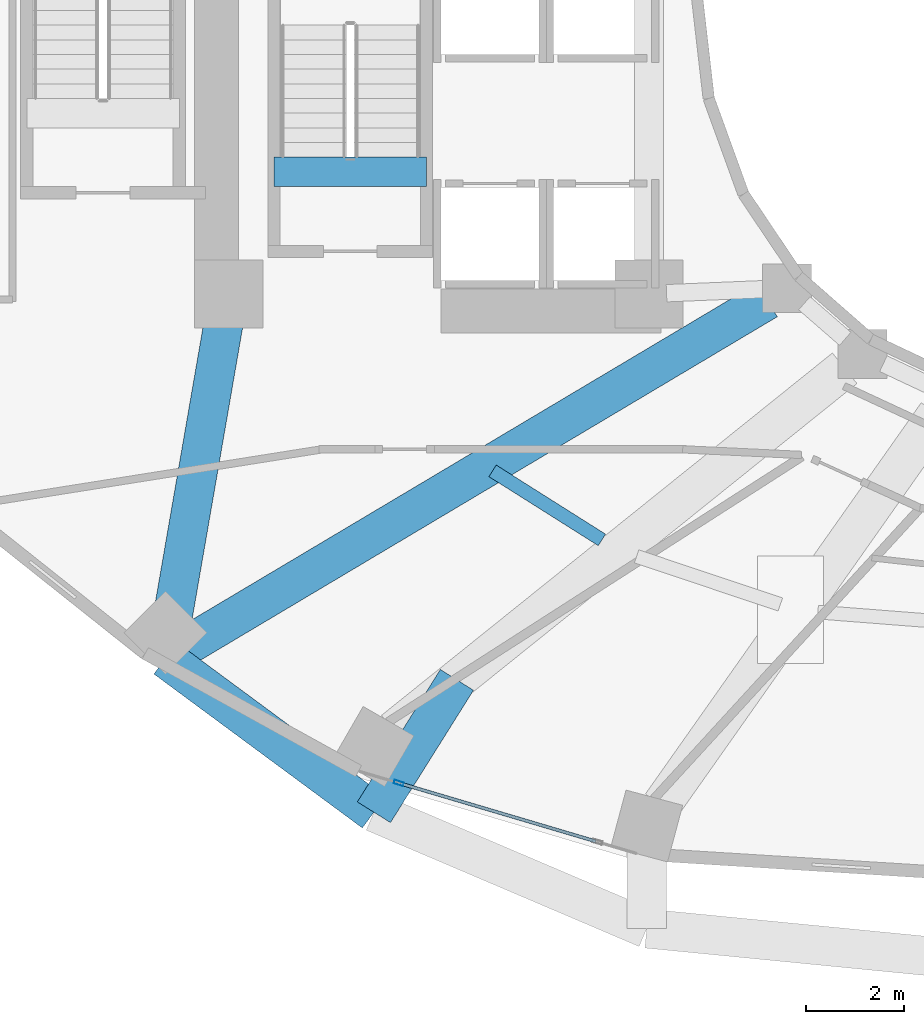
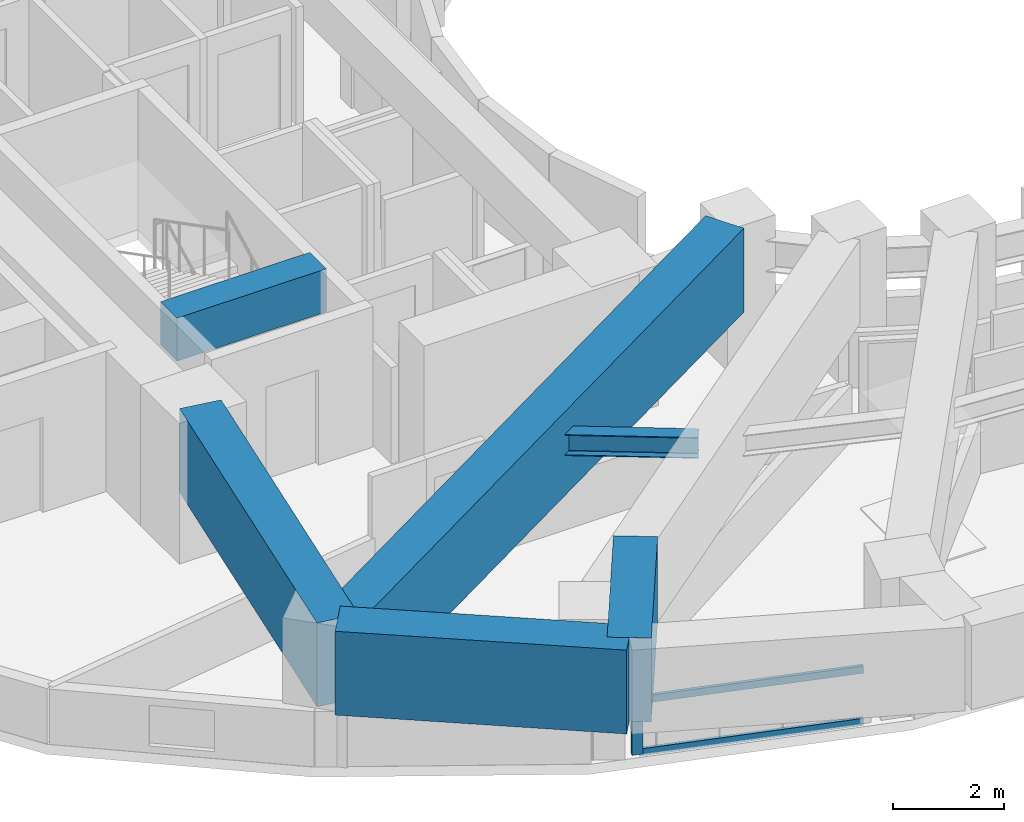
# One storey, part 2 of 17: 6 beams, 3 members, 1 element without a shape of its own.
"""IFC4 building model written with IfcOpenShell, lengths in metres."""

from ifc_helpers import new_model, si_unit, direction, frame, origin, origin_2d, place, context, subcontext, project, spatial, rectangle, hollow_rectangle, i_section, extrude, material, layer, layer_set, material_profile, profile_set, type_object, element, aggregate, save


model = new_model("IFC4")

# Units and contexts
model_context = context("Model", 3, precision=1e-05, world=origin(), true_north=direction((0.0, 1.0)))
body_context = subcontext(model_context, "Body", "Model", "MODEL_VIEW")
ifc_project = project(units=[si_unit("LENGTHUNIT", "METRE"), si_unit("AREAUNIT", "SQUARE_METRE"), si_unit("VOLUMEUNIT", "CUBIC_METRE"), si_unit("PLANEANGLEUNIT", "RADIAN"), si_unit("MASSUNIT", "GRAM", prefix="KILO")], contexts=[model_context])

# Site, building, storey
site_placement = place(None, origin())
site = spatial("IfcSite", under=ifc_project, at=site_placement, CompositionType="ELEMENT")
building_placement = place(site_placement, origin())
building = spatial("IfcBuilding", under=site, at=building_placement, Name="Solvane Sanctuary Tower", CompositionType="ELEMENT")
storey_placement = place(building_placement, frame((0.0, 0.0, 52.39990234375)))
storey = spatial("IfcBuildingStorey", under=building, at=storey_placement, Name="L15", CompositionType="ELEMENT", Elevation=52.39990234375)

# Beams
ifc_material_1 = material(Name="Concrete C70/85", Category="concrete")
ifc_material_profile_1 = material_profile(ifc_material_1, rectangle(XDim=0.60009765625, YDim=0.949951171875, at=origin_2d()), Name="RC600X950")
ifc_profile_set_1 = profile_set([ifc_material_profile_1], Name="Concrete C70/85")
beam_type_1 = type_object("IfcBeamType", Name="Beam B-COUPLE RC600X950", PredefinedType="LINTEL", material=ifc_profile_set_1)
beam_1_placement = place(storey_placement, frame((16.22998046875, 19.399169921875, 2.625), z_axis=(1.0, 0.0, 0.0), x_axis=(0.0, 1.0, 0.0)))
element("IfcBeam", 1, at=beam_1_placement, inside=storey, type_object=beam_type_1, Name="L15 ST-1 Stair Floor Landing Trimmer", PredefinedType="LINTEL", context=body_context, shape_type="SweptSolid", body=[
    extrude(rectangle(XDim=0.60009765625, YDim=0.949951171875, at=origin_2d()), origin(), (0.0, 0.0, 1.0), 3.1201171875),
])
ifc_material_2 = material(Name="Steel ASTM A992 Grade 50", Category="steel")
ifc_material_profile_2 = material_profile(ifc_material_2, i_section(OverallWidth=0.280029296875, OverallDepth=0.462890625, WebThickness=0.0107421875, FlangeThickness=0.017333984375, FilletRadius=0.013916015625, at=origin_2d()), Name="W18X76")
ifc_profile_set_2 = profile_set([ifc_material_profile_2], Name="Steel ASTM A992 Grade 50")
beam_type_2 = type_object("IfcBeamType", Name="Beam B-SEC-JOIST W18X76", PredefinedType="JOIST", material=ifc_profile_set_2)
beam_2_placement = place(storey_placement, frame((20.70068359375, 13.280517578125, 2.36669921875), z_axis=(0.845510831314, -0.533958270027, 0.0), x_axis=(0.533958270027, 0.845510831314, 0.0)))
element("IfcBeam", 2, at=beam_2_placement, inside=storey, type_object=beam_type_2, Name="L15 Secondary Circumferential Joist 08-09", PredefinedType="JOIST", context=body_context, shape_type="SweptSolid", body=[
    extrude(i_section(OverallWidth=0.280029296875, OverallDepth=0.462890625, WebThickness=0.0107421875, FlangeThickness=0.017333984375, FilletRadius=0.013916015625, at=origin_2d()), origin(), (0.0, 0.0, 1.0), 2.6455078125),
])
ifc_material_profile_3 = material_profile(ifc_material_1, rectangle(XDim=0.800048828125, YDim=1.85009765625, at=origin_2d()), Name="RC800X1850")
ifc_profile_set_3 = profile_set([ifc_material_profile_3], Name="Concrete C70/85")
beam_type_3 = type_object("IfcBeamType", Name="Beam B-XFER-BLK RC800X1850", PredefinedType="BEAM", material=ifc_profile_set_3)
beam_3_placement = place(storey_placement, frame((26.3212890625, 16.777587890625, 2.175048828125), z_axis=(-0.859227269414, -0.511594076877, 0.0), x_axis=(0.511594076877, -0.859227269414, 0.0)))
element("IfcBeam", 3, at=beam_3_placement, inside=storey, type_object=beam_type_3, Name="L15 Block-Shift Radial Transfer Girder 08A", PredefinedType="BEAM", context=body_context, shape_type="SweptSolid", body=[
    extrude(rectangle(XDim=0.800048828125, YDim=1.85009765625, at=origin_2d()), origin(), (0.0, 0.0, 1.0), 14.330322265625),
])
beam_4_placement = place(storey_placement, frame((19.970947265625, 9.005126953125, 2.175048828125), z_axis=(-0.53111719099, -0.847298370962, 0.0), x_axis=(0.847298370962, -0.53111719099, 0.0)))
element("IfcBeam", 4, at=beam_4_placement, inside=storey, type_object=beam_type_3, Name="L15 Block-Shift Transfer Tie 09B", PredefinedType="BEAM", context=body_context, shape_type="SweptSolid", body=[
    extrude(rectangle(XDim=0.800048828125, YDim=1.85009765625, at=origin_2d()), origin(), (0.0, 0.0, 1.0), 3.197509765625),
])
beam_5_placement = place(storey_placement, frame((15.238525390625, 16.54541015625, 2.175048828125), z_axis=(-0.17074768579, -0.985314786146, 0.0), x_axis=(0.985314786146, -0.17074768579, 0.0)))
element("IfcBeam", 5, at=beam_5_placement, inside=storey, type_object=beam_type_3, Name="L15 Perimeter Step Transfer Ring CW1-NTC08", PredefinedType="BEAM", context=body_context, shape_type="SweptSolid", body=[
    extrude(rectangle(XDim=0.800048828125, YDim=1.85009765625, at=origin_2d()), origin(), (0.0, 0.0, 1.0), 7.204833984375),
])
beam_6_placement = place(storey_placement, frame((14.00830078125, 9.4462890625, 2.175048828125), z_axis=(0.804316795513, -0.594200717313, 0.0), x_axis=(0.594200717313, 0.804316795513, 0.0)))
element("IfcBeam", 6, at=beam_6_placement, inside=storey, type_object=beam_type_3, Name="L15 Perimeter Step Transfer Ring NTC08-NTC09", PredefinedType="BEAM", context=body_context, shape_type="SweptSolid", body=[
    extrude(rectangle(XDim=0.800048828125, YDim=1.85009765625, at=origin_2d()), origin(), (0.0, 0.0, 1.0), 5.302001953125),
])

# Curtain wall, members
ifc_material_3 = material(Name="Anodised Aluminium 6063-T6", Category="aluminium")
ifc_layer = layer(ifc_material_3, 0.169921875, Name="Anodised Aluminium 6063-T6")
ifc_layer_set = layer_set([ifc_layer], Name="Anodised Aluminium 6063-T6")
curtain_wall_type = type_object("IfcCurtainWallType", Name="Curtain Wall CW-FRIT-Z1", PredefinedType="NOTDEFINED", material=ifc_layer_set)
curtain_wall_placement = place(storey_placement, origin())
curtain_wall = element("IfcCurtainWall", 7, at=curtain_wall_placement, inside=storey, type_object=curtain_wall_type, Name="L15 CW-FRIT-Z1 Facade Run 16", PredefinedType="NOTDEFINED")
ifc_material_profile_4 = material_profile(ifc_material_3, hollow_rectangle(XDim=0.074951171875, YDim=0.199951171875, WallThickness=0.00390625, at=origin_2d()), Name="ALU200X75X4")
ifc_profile_set_4 = profile_set([ifc_material_profile_4], Name="Anodised Aluminium 6063-T6")
member_type_1 = type_object("IfcMemberType", Name="Member M-CW-MUL-1 ALU200X75X4", PredefinedType="MULLION", material=ifc_profile_set_4)
member_1_placement = place(storey_placement, frame((18.7802734375, 6.89453125, 0.0), z_axis=(0.0, 0.0, 1.0), x_axis=(0.283936052018, 0.958843218866, 0.0)))
member_1 = element("IfcMember", 8, at=member_1_placement, type_object=member_type_1, Name="CW-FRIT-Z1 mullion 1", PredefinedType="MULLION", context=body_context, shape_type="SweptSolid", body=[
    extrude(hollow_rectangle(XDim=0.074951171875, YDim=0.199951171875, WallThickness=0.00390625, at=origin_2d()), origin(), (0.0, 0.0, 1.0), 1.22021484375),
])
ifc_material_profile_5 = material_profile(ifc_material_3, hollow_rectangle(XDim=0.06494140625, YDim=0.159912109375, WallThickness=0.00341796875, at=origin_2d()), Name="ALU160X65X3.5")
ifc_profile_set_5 = profile_set([ifc_material_profile_5], Name="Anodised Aluminium 6063-T6")
member_type_2 = type_object("IfcMemberType", Name="Member M-CW-TRN-1 ALU160X65X3.5", PredefinedType="USERDEFINED", material=ifc_profile_set_5)
member_2_placement = place(storey_placement, frame((18.816162109375, 6.8837890625, 0.03271484375), z_axis=(0.958847767463, -0.283920691093, 0.0), x_axis=(0.283920691093, 0.958847767463, 0.0)))
member_2 = element("IfcMember", 9, at=member_2_placement, type_object=member_type_2, Name="CW-FRIT-Z1 transom 1.1", ObjectType="TRANSOM", PredefinedType="USERDEFINED", context=body_context, shape_type="SweptSolid", body=[
    extrude(hollow_rectangle(XDim=0.06494140625, YDim=0.159912109375, WallThickness=0.00341796875, at=origin_2d()), origin(), (0.0, 0.0, 1.0), 4.165283203125),
])
member_3_placement = place(storey_placement, frame((18.816162109375, 6.8837890625, 1.1875), z_axis=(0.958847767463, -0.283920691093, 0.0), x_axis=(0.283920691093, 0.958847767463, 0.0)))
member_3 = element("IfcMember", 10, at=member_3_placement, type_object=member_type_2, Name="CW-FRIT-Z1 transom 1.2", ObjectType="TRANSOM", PredefinedType="USERDEFINED", context=body_context, shape_type="SweptSolid", body=[
    extrude(hollow_rectangle(XDim=0.06494140625, YDim=0.159912109375, WallThickness=0.00341796875, at=origin_2d()), origin(), (0.0, 0.0, 1.0), 4.165283203125),
])
aggregate(curtain_wall, [member_1, member_2, member_3])

save(model, "model.ifc")
